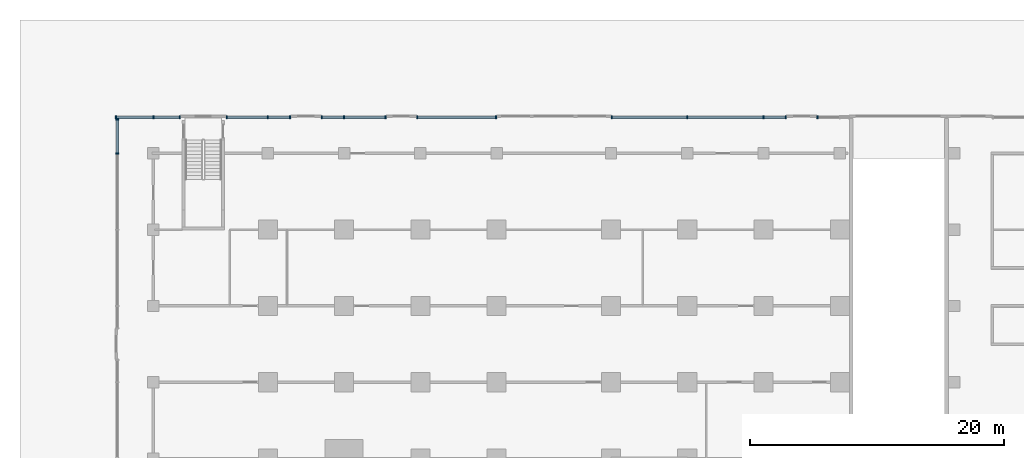
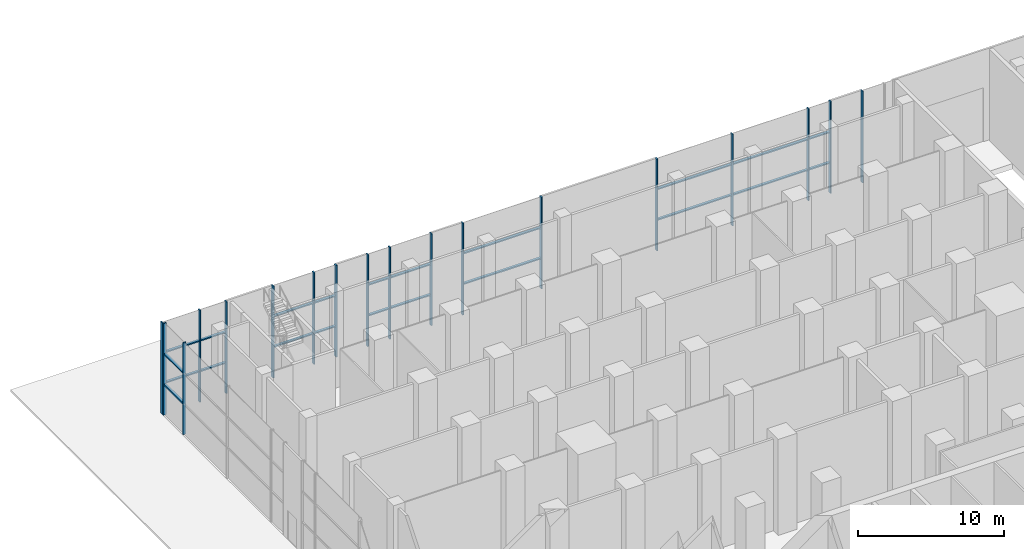
# One storey, part 7 of 29: 40 members, 7 elements without a shape of their own.
"""IFC4 building model written with IfcOpenShell, lengths in metres."""

import ifcopenshell
import ifcopenshell.guid

model = None  # the IFC model being written
_history = None  # IfcOwnerHistory: only IFC2X3 demands one
_inside = {}  # id of a spatial element -> (the spatial element, [elements in it])
_under = {}  # id of a project, library or spatial element -> (it, [spatial elements below it])
_declared = {}  # id of a project -> (the project, [libraries it declares])
_typed = {}  # id of a type object -> (the type object, [elements of that type])
_made_of = {}  # id of a material, layer set ... -> (it, [elements and type objects made of it])


def new_model(schema):
    """Start an empty IFC model of exactly this schema.

    Asked for "IFC4X3", IfcOpenShell would pick the latest addendum, in which some entities
    have other attributes; the version numbers below select the first issue.
    IFC2X3 requires an IfcOwnerHistory on every rooted entity: one is made here for all.
    """
    global model, _history
    if schema == "IFC4X3":
        model = ifcopenshell.file(schema_version=(4, 3, 0, 0))
    else:
        model = ifcopenshell.file(schema=schema)
    _inside.clear()
    _under.clear()
    _declared.clear()
    _typed.clear()
    _made_of.clear()
    _history = None
    if model.schema == "IFC2X3":
        org = make("IfcOrganization", Name="unknown")
        user = make(
            "IfcPersonAndOrganization",
            ThePerson=make("IfcPerson", FamilyName="unknown"),
            TheOrganization=org,
        )
        app = make(
            "IfcApplication",
            ApplicationDeveloper=org,
            Version="unknown",
            ApplicationFullName="unknown",
            ApplicationIdentifier="unknown",
        )
        _history = make(
            "IfcOwnerHistory",
            OwningUser=user,
            OwningApplication=app,
            ChangeAction="ADDED",
            CreationDate=0,
        )
    return model


def make(cls, **values):
    """One entity of the class cls with the attributes given. An attribute that is None is left unset."""
    return model.create_entity(
        cls, **{name: value for name, value in values.items() if value is not None}
    )


def rooted(cls, **values):
    """An entity with a GlobalId (a new one), such as an element, a storey or a relation."""
    return make(cls, GlobalId=ifcopenshell.guid.new(), OwnerHistory=_history, **values)


def si_unit(unit_type, name, prefix=None):
    """IfcSIUnit, for example si_unit("LENGTHUNIT", "METRE", prefix="MILLI")."""
    return make("IfcSIUnit", UnitType=unit_type, Prefix=prefix, Name=name)


def assignment(units):
    """IfcUnitAssignment: the units of a project."""
    return None if units is None else make("IfcUnitAssignment", Units=units)


def point(xyz):
    """IfcCartesianPoint."""
    return None if xyz is None else make("IfcCartesianPoint", Coordinates=xyz)


def direction(xyz):
    """IfcDirection."""
    return None if xyz is None else make("IfcDirection", DirectionRatios=xyz)


def frame(location, z_axis=None, x_axis=None):
    """IfcAxis2Placement3D, a coordinate frame: its origin and axes. An axis left out is left unset."""
    return make(
        "IfcAxis2Placement3D",
        Location=point(location),
        Axis=direction(z_axis),
        RefDirection=direction(x_axis),
    )


def frame_2d(location, x_axis=None):
    """IfcAxis2Placement2D, a coordinate frame in the plane: its origin and x axis."""
    return make(
        "IfcAxis2Placement2D", Location=point(location), RefDirection=direction(x_axis)
    )


def origin():
    """The frame at (0, 0, 0) with its axes left unset."""
    return frame((0.0, 0.0, 0.0))


def origin_2d():
    """The frame at (0, 0) in the plane with its x axis left unset."""
    return frame_2d((0.0, 0.0))


def place(relative_to, where):
    """IfcLocalPlacement: puts the frame where relative to a parent placement (None: the world)."""
    return make(
        "IfcLocalPlacement", PlacementRelTo=relative_to, RelativePlacement=where
    )


def context(
    kind, dimensions, precision=None, world=None, true_north=None, identifier=None
):
    """IfcGeometricRepresentationContext, for example the 3D "Model" context."""
    return make(
        "IfcGeometricRepresentationContext",
        ContextIdentifier=identifier,
        ContextType=kind,
        CoordinateSpaceDimension=dimensions,
        Precision=precision,
        WorldCoordinateSystem=world,
        TrueNorth=true_north,
    )


def subcontext(parent, identifier, kind, view, scale=None):
    """IfcGeometricRepresentationSubContext, for example "Body" below "Model"."""
    return make(
        "IfcGeometricRepresentationSubContext",
        ContextIdentifier=identifier,
        ContextType=kind,
        ParentContext=parent,
        TargetScale=scale,
        TargetView=view,
    )


def project(units=None, contexts=None):
    """IfcProject with its units and contexts."""
    return rooted(
        "IfcProject",
        Name="project",
        RepresentationContexts=contexts,
        UnitsInContext=assignment(units),
    )


def spatial(cls, under=None, at=None, **own):
    """A site, building, storey or space (cls), placed at a placement, below another one or the project."""
    s = rooted(cls, ObjectPlacement=at, **own)
    if under is not None:
        _under.setdefault(under.id(), (under, []))[1].append(s)
    return s


def profile(cls, at=None, kind="AREA", **sizes):
    """A parametric profile (cls). Its sizes go by their IFC names, for example OverallWidth=200.0."""
    return make(cls, ProfileType=kind, Position=at, **sizes)


def rectangle(**sizes):
    """IfcRectangleProfileDef."""
    return profile("IfcRectangleProfileDef", **sizes)


def extrude(swept, where, along, depth):
    """IfcExtrudedAreaSolid: the profile swept, set in the frame where, extruded along a direction by depth."""
    return make(
        "IfcExtrudedAreaSolid",
        SweptArea=swept,
        Position=where,
        ExtrudedDirection=direction(along),
        Depth=depth,
    )


def shape(context_of_items, identifier, shape_type, items):
    """IfcShapeRepresentation: the items that make up one representation, for example the "Body"."""
    return make(
        "IfcShapeRepresentation",
        ContextOfItems=context_of_items,
        RepresentationIdentifier=identifier,
        RepresentationType=shape_type,
        Items=items,
    )


def material(Name=None, Category=None):
    """IfcMaterial."""
    return make("IfcMaterial", Name=Name, Category=Category)


def material_profile(
    of_material, cross_section, Name=None, Category=None, Priority=None
):
    """IfcMaterialProfile: a cross section and its material."""
    return make(
        "IfcMaterialProfile",
        Name=Name,
        Material=of_material,
        Profile=cross_section,
        Priority=Priority,
        Category=Category,
    )


def profile_set(profiles, Name=None, composite=None):
    """IfcMaterialProfileSet."""
    return make(
        "IfcMaterialProfileSet",
        Name=Name,
        MaterialProfiles=profiles,
        CompositeProfile=composite,
    )


def made_of(thing, what):
    """Note that an element or type object is made of a material, layer set ...; save() writes the relation."""
    if what is not None:
        _made_of.setdefault(what.id(), (what, []))[1].append(thing)
    return thing


def type_object(cls, material=None, **own):
    """A type object (cls), such as IfcWallType, which elements share."""
    return made_of(rooted(cls, **own), material)


def element(
    cls,
    number,
    at=None,
    inside=None,
    cuts=None,
    type_object=None,
    material=None,
    context=None,
    identifier="Body",
    shape_type=None,
    held_by="IfcProductDefinitionShape",
    body=None,
    shapes=None,
    **own,
):
    """One element of the class cls, such as IfcWall. Its Tag is "e" and its number.

    at: its placement. inside: the storey or other place that contains it. cuts: it is an
    opening in that element (IfcRelVoidsElement). A single representation is given by context,
    identifier, shape_type and body (its items); several are given by shapes. held_by: the class
    of the entity that holds the representations. save() writes the other relations.
    """
    e = rooted(cls, Tag="e%d" % number, ObjectPlacement=at, **own)
    if body is not None:
        shapes = [shape(context, identifier, shape_type, body)]
    if shapes is not None:
        e.Representation = make(held_by, Representations=shapes)
    if inside is not None:
        _inside.setdefault(inside.id(), (inside, []))[1].append(e)
    if cuts is not None:
        rooted(
            "IfcRelVoidsElement", RelatingBuildingElement=cuts, RelatedOpeningElement=e
        )
    if type_object is not None:
        _typed.setdefault(type_object.id(), (type_object, []))[1].append(e)
    return made_of(e, material)


def aggregate(whole, parts):
    """IfcRelAggregates: a whole, such as a stair, and the parts it consists of."""
    return rooted("IfcRelAggregates", RelatingObject=whole, RelatedObjects=parts)


def save(model, path):
    """Write the relations noted so far, then the file.

    IfcRelAggregates (storeys below a building ...), IfcRelContainedInSpatialStructure (elements
    in a storey), IfcRelDefinesByType, IfcRelAssociatesMaterial and IfcRelDeclares: one each for
    every whole, place, type object, material and project.
    """
    for whole, parts in _under.values():
        aggregate(whole, parts)
    for where, things in _inside.values():
        rooted(
            "IfcRelContainedInSpatialStructure",
            RelatedElements=things,
            RelatingStructure=where,
        )
    for kind, things in _typed.values():
        rooted("IfcRelDefinesByType", RelatedObjects=things, RelatingType=kind)
    for what, things in _made_of.values():
        rooted("IfcRelAssociatesMaterial", RelatedObjects=things, RelatingMaterial=what)
    for by, libraries in _declared.values():
        rooted("IfcRelDeclares", RelatingContext=by, RelatedDefinitions=libraries)
    model.write(path)


model = new_model("IFC4")

# Units and contexts
model_context = context("Model", 3, precision=1e-05, world=origin(), true_north=direction((0.0, 1.0)))
body_context = subcontext(model_context, "Body", "Model", "MODEL_VIEW")
ifc_project = project(units=[si_unit("LENGTHUNIT", "METRE"), si_unit("AREAUNIT", "SQUARE_METRE"), si_unit("VOLUMEUNIT", "CUBIC_METRE"), si_unit("PLANEANGLEUNIT", "RADIAN"), si_unit("MASSUNIT", "GRAM", prefix="KILO")], contexts=[model_context])

# Site, building, storey
site_placement = place(None, origin())
site = spatial("IfcSite", under=ifc_project, at=site_placement, CompositionType="ELEMENT")
building_placement = place(site_placement, origin())
building = spatial("IfcBuilding", under=site, at=building_placement, Name="Finial Court Residences", CompositionType="ELEMENT")
storey_placement = place(building_placement, origin())
storey = spatial("IfcBuildingStorey", under=building, at=storey_placement, Name="L00", CompositionType="ELEMENT", Elevation=0.0)

# Curtain wall, members
ifc_material = material(Name="Bronze anodised aluminium", Category="aluminium")
curtain_wall_type = type_object("IfcCurtainWallType", Name="Podium shopfront", PredefinedType="NOTDEFINED", material=ifc_material)
curtain_wall_1_placement = place(storey_placement, origin())
curtain_wall_1 = element("IfcCurtainWall", 1, at=curtain_wall_1_placement, inside=storey, type_object=curtain_wall_type, Name="E-L00-CW-N1", PredefinedType="NOTDEFINED")
ifc_material_profile_1 = material_profile(ifc_material, rectangle(XDim=0.25, YDim=0.10009765625, at=origin_2d()), Name="CW4 mullion 100 x 250")
ifc_profile_set_1 = profile_set([ifc_material_profile_1], Name="Bronze anodised aluminium")
member_type_1 = type_object("IfcMemberType", Name="CW4 mullion 100 x 250", PredefinedType="MULLION", material=ifc_profile_set_1)
member_1_placement = place(storey_placement, frame((-34.449951171875, 34.35009765625, 0.0), z_axis=(0.0, 0.0, 1.0), x_axis=(0.0, 1.0, 0.0)))
member_1 = element("IfcMember", 2, at=member_1_placement, type_object=member_type_1, Name="CW4 mullion 1", PredefinedType="MULLION", context=body_context, shape_type="SweptSolid", body=[
    extrude(rectangle(XDim=0.25, YDim=0.10009765625, at=origin_2d()), origin(), (0.0, 0.0, 1.0), 7.64990234375),
])
member_2_placement = place(storey_placement, frame((-31.5, 34.35009765625, 0.0), z_axis=(0.0, 0.0, 1.0), x_axis=(0.0, 1.0, 0.0)))
member_2 = element("IfcMember", 3, at=member_2_placement, type_object=member_type_1, Name="CW4 mullion 2", PredefinedType="MULLION", context=body_context, shape_type="SweptSolid", body=[
    extrude(rectangle(XDim=0.25, YDim=0.10009765625, at=origin_2d()), origin(), (0.0, 0.0, 1.0), 7.64990234375),
])
member_3_placement = place(storey_placement, frame((-29.425048828125, 34.35009765625, 0.0), z_axis=(0.0, 0.0, 1.0), x_axis=(0.0, 1.0, 0.0)))
member_3 = element("IfcMember", 4, at=member_3_placement, type_object=member_type_1, Name="CW4 mullion 3", PredefinedType="MULLION", context=body_context, shape_type="SweptSolid", body=[
    extrude(rectangle(XDim=0.25, YDim=0.10009765625, at=origin_2d()), origin(), (0.0, 0.0, 1.0), 7.64990234375),
])

curtain_wall_2_placement = place(storey_placement, origin())
curtain_wall_2 = element("IfcCurtainWall", 5, at=curtain_wall_2_placement, inside=storey, type_object=curtain_wall_type, Name="E-L00-CW-N2", PredefinedType="NOTDEFINED")
member_4_placement = place(storey_placement, frame((-25.72509765625, 34.35009765625, 0.0), z_axis=(0.0, 0.0, 1.0), x_axis=(0.0, 1.0, 0.0)))
member_4 = element("IfcMember", 6, at=member_4_placement, type_object=member_type_1, Name="CW4 mullion 1", PredefinedType="MULLION", context=body_context, shape_type="SweptSolid", body=[
    extrude(rectangle(XDim=0.25, YDim=0.10009765625, at=origin_2d()), origin(), (0.0, 0.0, 1.0), 7.64990234375),
])
member_5_placement = place(storey_placement, frame((-22.5, 34.35009765625, 0.0), z_axis=(0.0, 0.0, 1.0), x_axis=(0.0, 1.0, 0.0)))
member_5 = element("IfcMember", 7, at=member_5_placement, type_object=member_type_1, Name="CW4 mullion 2", PredefinedType="MULLION", context=body_context, shape_type="SweptSolid", body=[
    extrude(rectangle(XDim=0.25, YDim=0.10009765625, at=origin_2d()), origin(), (0.0, 0.0, 1.0), 7.64990234375),
])
member_6_placement = place(storey_placement, frame((-20.75, 34.35009765625, 0.0), z_axis=(0.0, 0.0, 1.0), x_axis=(0.0, 1.0, 0.0)))
member_6 = element("IfcMember", 8, at=member_6_placement, type_object=member_type_1, Name="CW4 mullion 3", PredefinedType="MULLION", context=body_context, shape_type="SweptSolid", body=[
    extrude(rectangle(XDim=0.25, YDim=0.10009765625, at=origin_2d()), origin(), (0.0, 0.0, 1.0), 7.64990234375),
])

curtain_wall_3_placement = place(storey_placement, origin())
curtain_wall_3 = element("IfcCurtainWall", 9, at=curtain_wall_3_placement, inside=storey, type_object=curtain_wall_type, Name="E-L00-CW-N3", PredefinedType="NOTDEFINED")
member_7_placement = place(storey_placement, frame((-18.25, 34.35009765625, 0.0), z_axis=(0.0, 0.0, 1.0), x_axis=(0.0, 1.0, 0.0)))
member_7 = element("IfcMember", 10, at=member_7_placement, type_object=member_type_1, Name="CW4 mullion 1", PredefinedType="MULLION", context=body_context, shape_type="SweptSolid", body=[
    extrude(rectangle(XDim=0.25, YDim=0.10009765625, at=origin_2d()), origin(), (0.0, 0.0, 1.0), 7.64990234375),
])
member_8_placement = place(storey_placement, frame((-16.5, 34.35009765625, 0.0), z_axis=(0.0, 0.0, 1.0), x_axis=(0.0, 1.0, 0.0)))
member_8 = element("IfcMember", 11, at=member_8_placement, type_object=member_type_1, Name="CW4 mullion 2", PredefinedType="MULLION", context=body_context, shape_type="SweptSolid", body=[
    extrude(rectangle(XDim=0.25, YDim=0.10009765625, at=origin_2d()), origin(), (0.0, 0.0, 1.0), 7.64990234375),
])
member_9_placement = place(storey_placement, frame((-13.25, 34.35009765625, 0.0), z_axis=(0.0, 0.0, 1.0), x_axis=(0.0, 1.0, 0.0)))
member_9 = element("IfcMember", 12, at=member_9_placement, type_object=member_type_1, Name="CW4 mullion 3", PredefinedType="MULLION", context=body_context, shape_type="SweptSolid", body=[
    extrude(rectangle(XDim=0.25, YDim=0.10009765625, at=origin_2d()), origin(), (0.0, 0.0, 1.0), 7.64990234375),
])

curtain_wall_4_placement = place(storey_placement, origin())
curtain_wall_4 = element("IfcCurtainWall", 13, at=curtain_wall_4_placement, inside=storey, type_object=curtain_wall_type, Name="E-L00-CW-N4", PredefinedType="NOTDEFINED")
member_10_placement = place(storey_placement, frame((-10.75, 34.35009765625, 0.0), z_axis=(0.0, 0.0, 1.0), x_axis=(0.0, 1.0, 0.0)))
member_10 = element("IfcMember", 14, at=member_10_placement, type_object=member_type_1, Name="CW4 mullion 1", PredefinedType="MULLION", context=body_context, shape_type="SweptSolid", body=[
    extrude(rectangle(XDim=0.25, YDim=0.10009765625, at=origin_2d()), origin(), (0.0, 0.0, 1.0), 7.64990234375),
])
member_11_placement = place(storey_placement, frame((-4.550048828125, 34.35009765625, 0.0), z_axis=(0.0, 0.0, 1.0), x_axis=(0.0, 1.0, 0.0)))
member_11 = element("IfcMember", 15, at=member_11_placement, type_object=member_type_1, Name="CW4 mullion 2", PredefinedType="MULLION", context=body_context, shape_type="SweptSolid", body=[
    extrude(rectangle(XDim=0.25, YDim=0.10009765625, at=origin_2d()), origin(), (0.0, 0.0, 1.0), 7.64990234375),
])

curtain_wall_5_placement = place(storey_placement, origin())
curtain_wall_5 = element("IfcCurtainWall", 16, at=curtain_wall_5_placement, inside=storey, type_object=curtain_wall_type, Name="E-L00-CW-N5", PredefinedType="NOTDEFINED")
member_12_placement = place(storey_placement, frame((4.550048828125, 34.35009765625, 0.0), z_axis=(0.0, 0.0, 1.0), x_axis=(0.0, 1.0, 0.0)))
member_12 = element("IfcMember", 17, at=member_12_placement, type_object=member_type_1, Name="CW4 mullion 1", PredefinedType="MULLION", context=body_context, shape_type="SweptSolid", body=[
    extrude(rectangle(XDim=0.25, YDim=0.10009765625, at=origin_2d()), origin(), (0.0, 0.0, 1.0), 7.64990234375),
])
member_13_placement = place(storey_placement, frame((10.5, 34.35009765625, 0.0), z_axis=(0.0, 0.0, 1.0), x_axis=(0.0, 1.0, 0.0)))
member_13 = element("IfcMember", 18, at=member_13_placement, type_object=member_type_1, Name="CW4 mullion 2", PredefinedType="MULLION", context=body_context, shape_type="SweptSolid", body=[
    extrude(rectangle(XDim=0.25, YDim=0.10009765625, at=origin_2d()), origin(), (0.0, 0.0, 1.0), 7.64990234375),
])
member_14_placement = place(storey_placement, frame((16.5, 34.35009765625, 0.0), z_axis=(0.0, 0.0, 1.0), x_axis=(0.0, 1.0, 0.0)))
member_14 = element("IfcMember", 19, at=member_14_placement, type_object=member_type_1, Name="CW4 mullion 3", PredefinedType="MULLION", context=body_context, shape_type="SweptSolid", body=[
    extrude(rectangle(XDim=0.25, YDim=0.10009765625, at=origin_2d()), origin(), (0.0, 0.0, 1.0), 7.64990234375),
])
member_15_placement = place(storey_placement, frame((18.25, 34.35009765625, 0.0), z_axis=(0.0, 0.0, 1.0), x_axis=(0.0, 1.0, 0.0)))
member_15 = element("IfcMember", 20, at=member_15_placement, type_object=member_type_1, Name="CW4 mullion 4", PredefinedType="MULLION", context=body_context, shape_type="SweptSolid", body=[
    extrude(rectangle(XDim=0.25, YDim=0.10009765625, at=origin_2d()), origin(), (0.0, 0.0, 1.0), 7.64990234375),
])

# Curtain wall, member
curtain_wall_6_placement = place(storey_placement, origin())
curtain_wall_6 = element("IfcCurtainWall", 21, at=curtain_wall_6_placement, inside=storey, type_object=curtain_wall_type, Name="E-L00-CW-N6", PredefinedType="NOTDEFINED")
member_16_placement = place(storey_placement, frame((20.75, 34.35009765625, 0.0), z_axis=(0.0, 0.0, 1.0), x_axis=(0.0, 1.0, 0.0)))
member_16 = element("IfcMember", 22, at=member_16_placement, type_object=member_type_1, Name="CW4 mullion 1", PredefinedType="MULLION", context=body_context, shape_type="SweptSolid", body=[
    extrude(rectangle(XDim=0.25, YDim=0.10009765625, at=origin_2d()), origin(), (0.0, 0.0, 1.0), 7.64990234375),
])
aggregate(curtain_wall_6, [member_16])

# Curtain wall, members
curtain_wall_7_placement = place(storey_placement, origin())
curtain_wall_7 = element("IfcCurtainWall", 23, at=curtain_wall_7_placement, inside=storey, type_object=curtain_wall_type, Name="E-L00-CW-W30", PredefinedType="NOTDEFINED")
member_17_placement = place(storey_placement, frame((-34.35009765625, 31.5, 0.0), z_axis=(0.0, 0.0, 1.0), x_axis=(-1.0, 0.0, 0.0)))
member_17 = element("IfcMember", 24, at=member_17_placement, type_object=member_type_1, Name="CW4 mullion 4", PredefinedType="MULLION", context=body_context, shape_type="SweptSolid", body=[
    extrude(rectangle(XDim=0.25, YDim=0.10009765625, at=origin_2d()), origin(), (0.0, 0.0, 1.0), 7.64990234375),
])
member_18_placement = place(storey_placement, frame((-34.35009765625, 34.175048828125, 0.0), z_axis=(0.0, 0.0, 1.0), x_axis=(-1.0, 0.0, 0.0)))
member_18 = element("IfcMember", 25, at=member_18_placement, type_object=member_type_1, Name="CW4 mullion 5", PredefinedType="MULLION", context=body_context, shape_type="SweptSolid", body=[
    extrude(rectangle(XDim=0.25, YDim=0.10009765625, at=origin_2d()), origin(), (0.0, 0.0, 1.0), 7.64990234375),
])

# Member
ifc_material_profile_2 = material_profile(ifc_material, rectangle(XDim=0.199951171875, YDim=0.10009765625, at=origin_2d()), Name="CW4 transom 100 x 200")
ifc_profile_set_2 = profile_set([ifc_material_profile_2], Name="Bronze anodised aluminium")
member_type_2 = type_object("IfcMemberType", Name="CW4 transom 100 x 200", PredefinedType="USERDEFINED", material=ifc_profile_set_2)
member_19_placement = place(storey_placement, frame((-34.39990234375, 34.35009765625, 2.550048828125), z_axis=(1.0, 0.0, 0.0), x_axis=(0.0, 1.0, 0.0)))
member_19 = element("IfcMember", 26, at=member_19_placement, type_object=member_type_2, Name="CW4 transom 1.1", ObjectType="TRANSOM", PredefinedType="USERDEFINED", context=body_context, shape_type="SweptSolid", body=[
    extrude(rectangle(XDim=0.199951171875, YDim=0.10009765625, at=origin_2d()), origin(), (0.0, 0.0, 1.0), 2.849853515625),
])

member_20_placement = place(storey_placement, frame((-34.39990234375, 34.35009765625, 5.10009765625), z_axis=(1.0, 0.0, 0.0), x_axis=(0.0, 1.0, 0.0)))
member_20 = element("IfcMember", 27, at=member_20_placement, type_object=member_type_2, Name="CW4 transom 1.2", ObjectType="TRANSOM", PredefinedType="USERDEFINED", context=body_context, shape_type="SweptSolid", body=[
    extrude(rectangle(XDim=0.199951171875, YDim=0.10009765625, at=origin_2d()), origin(), (0.0, 0.0, 1.0), 2.849853515625),
])

member_21_placement = place(storey_placement, frame((-31.449951171875, 34.35009765625, 2.550048828125), z_axis=(1.0, 0.0, 0.0), x_axis=(0.0, 1.0, 0.0)))
member_21 = element("IfcMember", 28, at=member_21_placement, type_object=member_type_2, Name="CW4 transom 2.1", ObjectType="TRANSOM", PredefinedType="USERDEFINED", context=body_context, shape_type="SweptSolid", body=[
    extrude(rectangle(XDim=0.199951171875, YDim=0.10009765625, at=origin_2d()), origin(), (0.0, 0.0, 1.0), 1.974853515625),
])

member_22_placement = place(storey_placement, frame((-31.449951171875, 34.35009765625, 5.10009765625), z_axis=(1.0, 0.0, 0.0), x_axis=(0.0, 1.0, 0.0)))
member_22 = element("IfcMember", 29, at=member_22_placement, type_object=member_type_2, Name="CW4 transom 2.2", ObjectType="TRANSOM", PredefinedType="USERDEFINED", context=body_context, shape_type="SweptSolid", body=[
    extrude(rectangle(XDim=0.199951171875, YDim=0.10009765625, at=origin_2d()), origin(), (0.0, 0.0, 1.0), 1.974853515625),
])

aggregate(curtain_wall_1, [member_1, member_2, member_3, member_19, member_20, member_21, member_22])

member_23_placement = place(storey_placement, frame((-25.675048828125, 34.35009765625, 2.550048828125), z_axis=(1.0, 0.0, 0.0), x_axis=(0.0, 1.0, 0.0)))
member_23 = element("IfcMember", 30, at=member_23_placement, type_object=member_type_2, Name="CW4 transom 1.1", ObjectType="TRANSOM", PredefinedType="USERDEFINED", context=body_context, shape_type="SweptSolid", body=[
    extrude(rectangle(XDim=0.199951171875, YDim=0.10009765625, at=origin_2d()), origin(), (0.0, 0.0, 1.0), 3.125),
])

member_24_placement = place(storey_placement, frame((-25.675048828125, 34.35009765625, 5.10009765625), z_axis=(1.0, 0.0, 0.0), x_axis=(0.0, 1.0, 0.0)))
member_24 = element("IfcMember", 31, at=member_24_placement, type_object=member_type_2, Name="CW4 transom 1.2", ObjectType="TRANSOM", PredefinedType="USERDEFINED", context=body_context, shape_type="SweptSolid", body=[
    extrude(rectangle(XDim=0.199951171875, YDim=0.10009765625, at=origin_2d()), origin(), (0.0, 0.0, 1.0), 3.125),
])

member_25_placement = place(storey_placement, frame((-22.449951171875, 34.35009765625, 2.550048828125), z_axis=(1.0, 0.0, 0.0), x_axis=(0.0, 1.0, 0.0)))
member_25 = element("IfcMember", 32, at=member_25_placement, type_object=member_type_2, Name="CW4 transom 2.1", ObjectType="TRANSOM", PredefinedType="USERDEFINED", context=body_context, shape_type="SweptSolid", body=[
    extrude(rectangle(XDim=0.199951171875, YDim=0.10009765625, at=origin_2d()), origin(), (0.0, 0.0, 1.0), 1.64990234375),
])

member_26_placement = place(storey_placement, frame((-22.449951171875, 34.35009765625, 5.10009765625), z_axis=(1.0, 0.0, 0.0), x_axis=(0.0, 1.0, 0.0)))
member_26 = element("IfcMember", 33, at=member_26_placement, type_object=member_type_2, Name="CW4 transom 2.2", ObjectType="TRANSOM", PredefinedType="USERDEFINED", context=body_context, shape_type="SweptSolid", body=[
    extrude(rectangle(XDim=0.199951171875, YDim=0.10009765625, at=origin_2d()), origin(), (0.0, 0.0, 1.0), 1.64990234375),
])

aggregate(curtain_wall_2, [member_4, member_5, member_6, member_23, member_24, member_25, member_26])

member_27_placement = place(storey_placement, frame((-18.199951171875, 34.35009765625, 2.550048828125), z_axis=(1.0, 0.0, 0.0), x_axis=(0.0, 1.0, 0.0)))
member_27 = element("IfcMember", 34, at=member_27_placement, type_object=member_type_2, Name="CW4 transom 1.1", ObjectType="TRANSOM", PredefinedType="USERDEFINED", context=body_context, shape_type="SweptSolid", body=[
    extrude(rectangle(XDim=0.199951171875, YDim=0.10009765625, at=origin_2d()), origin(), (0.0, 0.0, 1.0), 1.64990234375),
])

member_28_placement = place(storey_placement, frame((-18.199951171875, 34.35009765625, 5.10009765625), z_axis=(1.0, 0.0, 0.0), x_axis=(0.0, 1.0, 0.0)))
member_28 = element("IfcMember", 35, at=member_28_placement, type_object=member_type_2, Name="CW4 transom 1.2", ObjectType="TRANSOM", PredefinedType="USERDEFINED", context=body_context, shape_type="SweptSolid", body=[
    extrude(rectangle(XDim=0.199951171875, YDim=0.10009765625, at=origin_2d()), origin(), (0.0, 0.0, 1.0), 1.64990234375),
])

member_29_placement = place(storey_placement, frame((-16.449951171875, 34.35009765625, 2.550048828125), z_axis=(1.0, 0.0, 0.0), x_axis=(0.0, 1.0, 0.0)))
member_29 = element("IfcMember", 36, at=member_29_placement, type_object=member_type_2, Name="CW4 transom 2.1", ObjectType="TRANSOM", PredefinedType="USERDEFINED", context=body_context, shape_type="SweptSolid", body=[
    extrude(rectangle(XDim=0.199951171875, YDim=0.10009765625, at=origin_2d()), origin(), (0.0, 0.0, 1.0), 3.14990234375),
])

member_30_placement = place(storey_placement, frame((-16.449951171875, 34.35009765625, 5.10009765625), z_axis=(1.0, 0.0, 0.0), x_axis=(0.0, 1.0, 0.0)))
member_30 = element("IfcMember", 37, at=member_30_placement, type_object=member_type_2, Name="CW4 transom 2.2", ObjectType="TRANSOM", PredefinedType="USERDEFINED", context=body_context, shape_type="SweptSolid", body=[
    extrude(rectangle(XDim=0.199951171875, YDim=0.10009765625, at=origin_2d()), origin(), (0.0, 0.0, 1.0), 3.14990234375),
])

aggregate(curtain_wall_3, [member_7, member_8, member_9, member_27, member_28, member_29, member_30])

member_31_placement = place(storey_placement, frame((-10.699951171875, 34.35009765625, 2.550048828125), z_axis=(1.0, 0.0, 0.0), x_axis=(0.0, 1.0, 0.0)))
member_31 = element("IfcMember", 38, at=member_31_placement, type_object=member_type_2, Name="CW4 transom 1.1", ObjectType="TRANSOM", PredefinedType="USERDEFINED", context=body_context, shape_type="SweptSolid", body=[
    extrude(rectangle(XDim=0.199951171875, YDim=0.10009765625, at=origin_2d()), origin(), (0.0, 0.0, 1.0), 6.099853515625),
])

member_32_placement = place(storey_placement, frame((-10.699951171875, 34.35009765625, 5.10009765625), z_axis=(1.0, 0.0, 0.0), x_axis=(0.0, 1.0, 0.0)))
member_32 = element("IfcMember", 39, at=member_32_placement, type_object=member_type_2, Name="CW4 transom 1.2", ObjectType="TRANSOM", PredefinedType="USERDEFINED", context=body_context, shape_type="SweptSolid", body=[
    extrude(rectangle(XDim=0.199951171875, YDim=0.10009765625, at=origin_2d()), origin(), (0.0, 0.0, 1.0), 6.099853515625),
])

aggregate(curtain_wall_4, [member_10, member_11, member_31, member_32])

member_33_placement = place(storey_placement, frame((4.60009765625, 34.35009765625, 2.550048828125), z_axis=(1.0, 0.0, 0.0), x_axis=(0.0, 1.0, 0.0)))
member_33 = element("IfcMember", 40, at=member_33_placement, type_object=member_type_2, Name="CW4 transom 1.1", ObjectType="TRANSOM", PredefinedType="USERDEFINED", context=body_context, shape_type="SweptSolid", body=[
    extrude(rectangle(XDim=0.199951171875, YDim=0.10009765625, at=origin_2d()), origin(), (0.0, 0.0, 1.0), 5.849853515625),
])

member_34_placement = place(storey_placement, frame((4.60009765625, 34.35009765625, 5.10009765625), z_axis=(1.0, 0.0, 0.0), x_axis=(0.0, 1.0, 0.0)))
member_34 = element("IfcMember", 41, at=member_34_placement, type_object=member_type_2, Name="CW4 transom 1.2", ObjectType="TRANSOM", PredefinedType="USERDEFINED", context=body_context, shape_type="SweptSolid", body=[
    extrude(rectangle(XDim=0.199951171875, YDim=0.10009765625, at=origin_2d()), origin(), (0.0, 0.0, 1.0), 5.849853515625),
])

member_35_placement = place(storey_placement, frame((10.550048828125, 34.35009765625, 2.550048828125), z_axis=(1.0, 0.0, 0.0), x_axis=(0.0, 1.0, 0.0)))
member_35 = element("IfcMember", 42, at=member_35_placement, type_object=member_type_2, Name="CW4 transom 2.1", ObjectType="TRANSOM", PredefinedType="USERDEFINED", context=body_context, shape_type="SweptSolid", body=[
    extrude(rectangle(XDim=0.199951171875, YDim=0.10009765625, at=origin_2d()), origin(), (0.0, 0.0, 1.0), 5.89990234375),
])

member_36_placement = place(storey_placement, frame((10.550048828125, 34.35009765625, 5.10009765625), z_axis=(1.0, 0.0, 0.0), x_axis=(0.0, 1.0, 0.0)))
member_36 = element("IfcMember", 43, at=member_36_placement, type_object=member_type_2, Name="CW4 transom 2.2", ObjectType="TRANSOM", PredefinedType="USERDEFINED", context=body_context, shape_type="SweptSolid", body=[
    extrude(rectangle(XDim=0.199951171875, YDim=0.10009765625, at=origin_2d()), origin(), (0.0, 0.0, 1.0), 5.89990234375),
])

member_37_placement = place(storey_placement, frame((16.550048828125, 34.35009765625, 2.550048828125), z_axis=(1.0, 0.0, 0.0), x_axis=(0.0, 1.0, 0.0)))
member_37 = element("IfcMember", 44, at=member_37_placement, type_object=member_type_2, Name="CW4 transom 3.1", ObjectType="TRANSOM", PredefinedType="USERDEFINED", context=body_context, shape_type="SweptSolid", body=[
    extrude(rectangle(XDim=0.199951171875, YDim=0.10009765625, at=origin_2d()), origin(), (0.0, 0.0, 1.0), 1.64990234375),
])

member_38_placement = place(storey_placement, frame((16.550048828125, 34.35009765625, 5.10009765625), z_axis=(1.0, 0.0, 0.0), x_axis=(0.0, 1.0, 0.0)))
member_38 = element("IfcMember", 45, at=member_38_placement, type_object=member_type_2, Name="CW4 transom 3.2", ObjectType="TRANSOM", PredefinedType="USERDEFINED", context=body_context, shape_type="SweptSolid", body=[
    extrude(rectangle(XDim=0.199951171875, YDim=0.10009765625, at=origin_2d()), origin(), (0.0, 0.0, 1.0), 1.64990234375),
])

aggregate(curtain_wall_5, [member_12, member_13, member_14, member_15, member_33, member_34, member_35, member_36, member_37, member_38])

member_39_placement = place(storey_placement, frame((-34.35009765625, 31.550048828125, 2.550048828125), z_axis=(0.0, 1.0, 0.0), x_axis=(-1.0, 0.0, 0.0)))
member_39 = element("IfcMember", 46, at=member_39_placement, type_object=member_type_2, Name="CW4 transom 4.1", ObjectType="TRANSOM", PredefinedType="USERDEFINED", context=body_context, shape_type="SweptSolid", body=[
    extrude(rectangle(XDim=0.199951171875, YDim=0.10009765625, at=origin_2d()), origin(), (0.0, 0.0, 1.0), 2.574951171875),
])

member_40_placement = place(storey_placement, frame((-34.35009765625, 31.550048828125, 5.10009765625), z_axis=(0.0, 1.0, 0.0), x_axis=(-1.0, 0.0, 0.0)))
member_40 = element("IfcMember", 47, at=member_40_placement, type_object=member_type_2, Name="CW4 transom 4.2", ObjectType="TRANSOM", PredefinedType="USERDEFINED", context=body_context, shape_type="SweptSolid", body=[
    extrude(rectangle(XDim=0.199951171875, YDim=0.10009765625, at=origin_2d()), origin(), (0.0, 0.0, 1.0), 2.574951171875),
])

aggregate(curtain_wall_7, [member_17, member_18, member_39, member_40])

save(model, "model.ifc")
